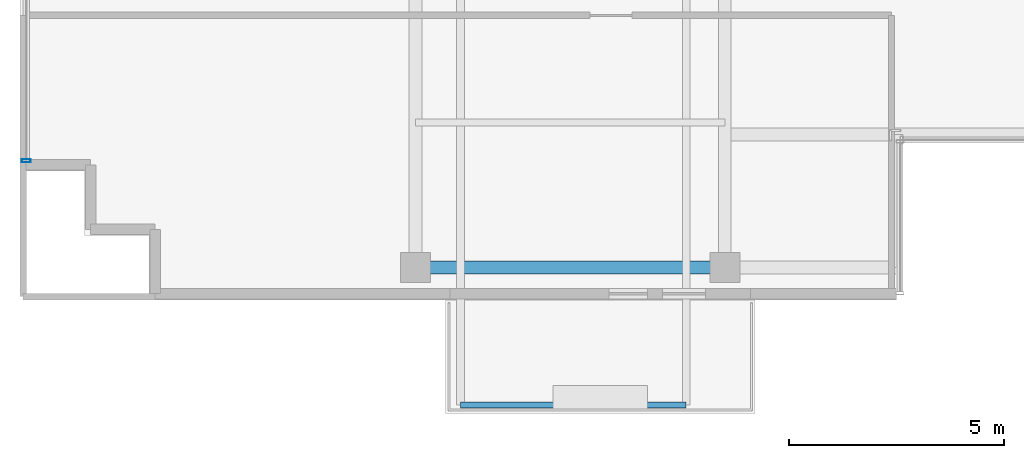
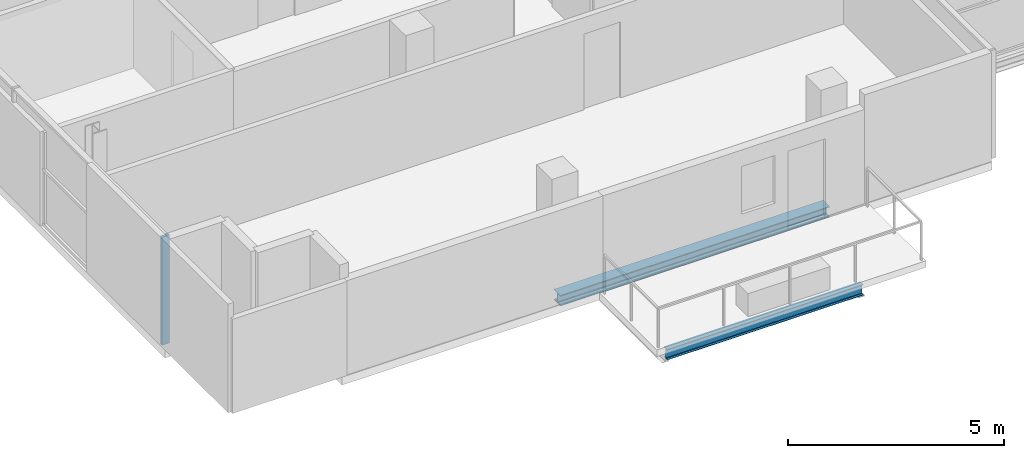
# One storey, part 2 of 23: 2 beams, 1 member, 1 element without a shape of its own.
"""IFC4 building model written with IfcOpenShell, lengths in metres."""

from ifc_helpers import new_model, si_unit, direction, frame, origin, origin_2d, place, context, subcontext, project, spatial, hollow_rectangle, i_section, extrude, source, transform, mapped, material, layer, layer_set, material_profile, profile_set, type_object, element, aggregate, save


model = new_model("IFC4")

# Units and contexts
model_context = context("Model", 3, precision=1e-05, world=origin(), true_north=direction((0.0, 1.0)))
body_context = subcontext(model_context, "Body", "Model", "MODEL_VIEW")
ifc_project = project(units=[si_unit("LENGTHUNIT", "METRE"), si_unit("AREAUNIT", "SQUARE_METRE"), si_unit("VOLUMEUNIT", "CUBIC_METRE"), si_unit("PLANEANGLEUNIT", "RADIAN"), si_unit("MASSUNIT", "GRAM", prefix="KILO")], contexts=[model_context])

# Site, building, storey
site_placement = place(None, origin())
site = spatial("IfcSite", under=ifc_project, at=site_placement, CompositionType="ELEMENT")
building_placement = place(site_placement, origin())
building = spatial("IfcBuilding", under=site, at=building_placement, Name="Zarnakvel Exchange Tower", CompositionType="ELEMENT")
storey_placement = place(building_placement, frame((0.0, 0.0, 218.800048828125)))
storey = spatial("IfcBuildingStorey", under=building, at=storey_placement, Name="L61", CompositionType="ELEMENT", Elevation=218.800048828125)

# Beams
ifc_material_1 = material(Name="Steel S355", Category="steel")
ifc_material_profile_1 = material_profile(ifc_material_1, i_section(OverallWidth=0.14990234375, OverallDepth=0.300048828125, WebThickness=0.007080078125, FlangeThickness=0.0107421875, FilletRadius=0.014892578125, at=origin_2d()))
ifc_profile_set_1 = profile_set([ifc_material_profile_1], Name="Steel S355")
beam_type_1 = type_object("IfcBeamType", Name="B-08", PredefinedType="JOIST", material=ifc_profile_set_1)
beam_1_placement = place(storey_placement, frame((-13.35009765625, -19.550048828125, -0.375), z_axis=(1.0, 0.0, 0.0), x_axis=(0.0, 1.0, 0.0)))
element("IfcBeam", 1, at=beam_1_placement, inside=storey, type_object=beam_type_1, Name="L61 Balcony Edge Beam", PredefinedType="JOIST", context=body_context, shape_type="SweptSolid", body=[
    extrude(i_section(OverallWidth=0.14990234375, OverallDepth=0.300048828125, WebThickness=0.007080078125, FlangeThickness=0.0107421875, FilletRadius=0.014892578125, at=origin_2d()), origin(), (0.0, 0.0, 1.0), 5.25),
])
ifc_material_profile_2 = material_profile(ifc_material_1, i_section(OverallWidth=0.300048828125, OverallDepth=0.300048828125, WebThickness=0.010986328125, FlangeThickness=0.01904296875, FilletRadius=0.027099609375, at=origin_2d()))
ifc_profile_set_2 = profile_set([ifc_material_profile_2], Name="Steel S355")
beam_type_2 = type_object("IfcBeamType", Name="SP-03", PredefinedType="SPANDREL", material=ifc_profile_set_2)
beam_2_placement = place(storey_placement, frame((-14.39990234375, -16.35009765625, -0.375), z_axis=(1.0, 0.0, 0.0), x_axis=(0.0, 1.0, 0.0)))
element("IfcBeam", 2, at=beam_2_placement, inside=storey, type_object=beam_type_2, Name="L61 Tower E-W Frame Beam", PredefinedType="SPANDREL", context=body_context, shape_type="SweptSolid", body=[
    extrude(i_section(OverallWidth=0.300048828125, OverallDepth=0.300048828125, WebThickness=0.010986328125, FlangeThickness=0.01904296875, FilletRadius=0.027099609375, at=origin_2d()), origin(), (0.0, 0.0, 1.0), 7.199951171875),
])

# Curtain wall, member
ifc_material_2 = material(Name="Architectural Bronze Anodised Aluminium", Category="aluminium")
ifc_layer = layer(ifc_material_2, 0.199951171875)
ifc_layer_set = layer_set([ifc_layer], Name="Architectural Bronze Anodised Aluminium")
curtain_wall_type = type_object("IfcCurtainWallType", Name="CW-04", PredefinedType="NOTDEFINED", material=ifc_layer_set)
curtain_wall_placement = place(storey_placement, origin())
curtain_wall = element("IfcCurtainWall", 3, at=curtain_wall_placement, inside=storey, type_object=curtain_wall_type, Name="L61 Curtain Wall CW-L61-W1 (CW-04)", PredefinedType="NOTDEFINED")
ifc_material_profile_3 = material_profile(ifc_material_2, hollow_rectangle(XDim=0.199951171875, YDim=0.074951171875, WallThickness=0.0048828125, at=origin_2d()))
ifc_profile_set_3 = profile_set([ifc_material_profile_3], Name="Architectural Bronze Anodised Aluminium")
member_type = type_object("IfcMemberType", Name="CWM-04", PredefinedType="MULLION", material=ifc_profile_set_3)
shared_shape = source(origin(), body_context, "Body", "SweptSolid", [
    extrude(hollow_rectangle(XDim=0.199951171875, YDim=0.074951171875, WallThickness=0.0048828125, at=origin_2d()), origin(), (0.0, 0.0, 1.0), 3.054931640625),
])
member_placement = place(storey_placement, frame((-23.4599609375, -13.862548828125, 0.0), z_axis=(0.0, 0.0, 1.0), x_axis=(-1.0, 0.0, 0.0)))
member = element("IfcMember", 4, at=member_placement, type_object=member_type, Name="CW-04 mullion 1", PredefinedType="MULLION", context=body_context, shape_type="MappedRepresentation", body=[
    mapped(shared_shape, transform((0.0, 0.0, 0.0), x_axis=(1.0, 0.0, 0.0), y_axis=(0.0, 1.0, 0.0), z_axis=(0.0, 0.0, 1.0), scale=1.0)),
])
aggregate(curtain_wall, [member])

save(model, "model.ifc")
